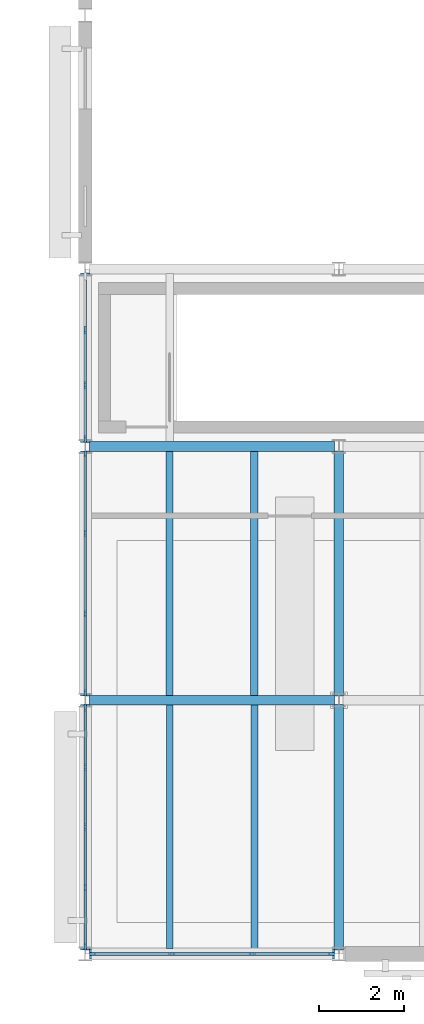
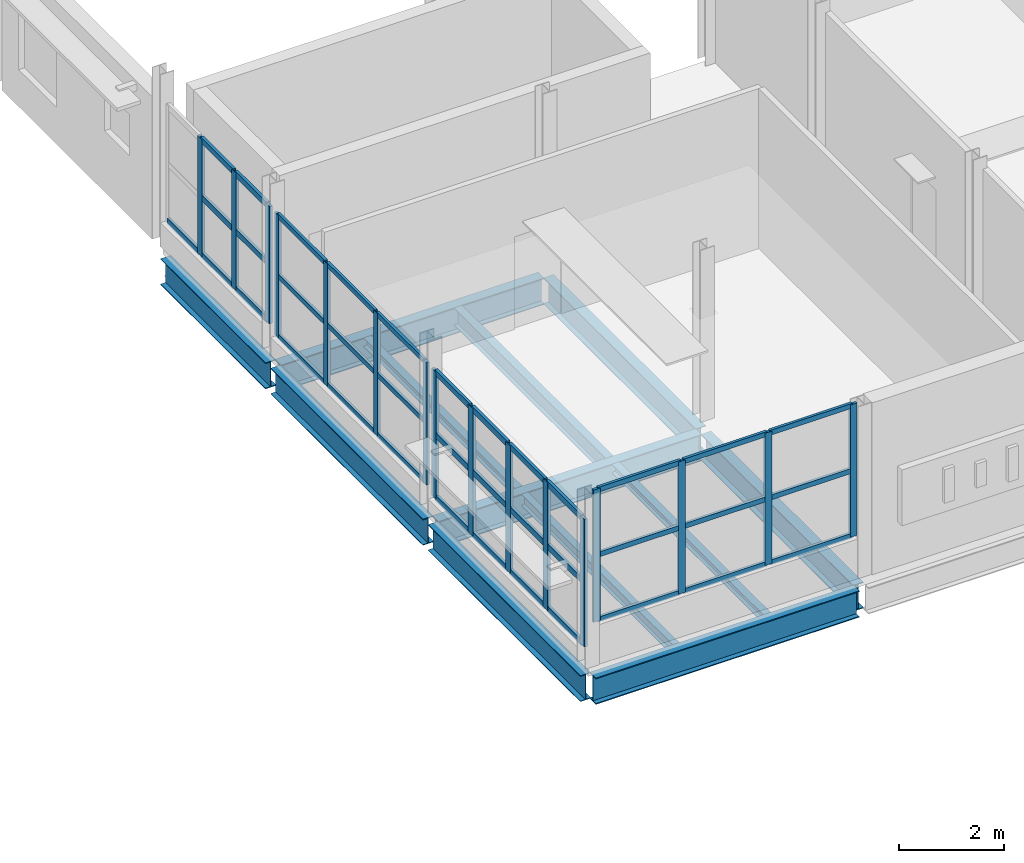
# One storey, part 17 of 92: 53 members, 12 beams, 4 elements without a shape of their own.
"""IFC4 building model written with IfcOpenShell, lengths in metres."""

from ifc_helpers import new_model, si_unit, direction, frame, origin, origin_2d, place, context, subcontext, project, spatial, rectangle, i_section, extrude, material, material_profile, profile_set, type_object, element, aggregate, save


model = new_model("IFC4")

# Units and contexts
model_context = context("Model", 3, precision=1e-05, world=origin(), true_north=direction((0.0, 1.0)))
body_context = subcontext(model_context, "Body", "Model", "MODEL_VIEW")
ifc_project = project(units=[si_unit("LENGTHUNIT", "METRE"), si_unit("AREAUNIT", "SQUARE_METRE"), si_unit("VOLUMEUNIT", "CUBIC_METRE"), si_unit("PLANEANGLEUNIT", "RADIAN"), si_unit("MASSUNIT", "GRAM", prefix="KILO")], contexts=[model_context])

# Site, building, storey
site_placement = place(None, origin())
site = spatial("IfcSite", under=ifc_project, at=site_placement, CompositionType="ELEMENT")
building_placement = place(site_placement, origin())
building = spatial("IfcBuilding", under=site, at=building_placement, Name="Siltcreek Boulevard Central Fire Station", CompositionType="ELEMENT")
storey_placement = place(building_placement, frame((0.0, 0.0, 6.0)))
storey = spatial("IfcBuildingStorey", under=building, at=storey_placement, Name="L02", CompositionType="ELEMENT", Elevation=6.0)

# Beams
ifc_material_1 = material(Name="Structural steel ASTM A992 Gr50", Category="steel")
ifc_material_profile_1 = material_profile(ifc_material_1, i_section(OverallWidth=0.22802734375, OverallDepth=0.60791015625, WebThickness=0.01123046875, FlangeThickness=0.017333984375, at=origin_2d()), Name="W610X113")
ifc_profile_set_1 = profile_set([ifc_material_profile_1], Name="Structural steel ASTM A992 Gr50")
beam_type_1 = type_object("IfcBeamType", Name="BM_W610X113", PredefinedType="BEAM", material=ifc_profile_set_1)
for number, where, z_axis, x_axis, name in (
    (1, (42.0, 1.89990234375, -0.6240234375), (0.0, 1.0, 0.0), (-1.0, 0.0, 0.0), "L02 primary steel girder GY-0025"),
    (2, (42.0, 7.89990234375, -0.6240234375), (0.0, 1.0, 0.0), (-1.0, 0.0, 0.0), "L02 primary steel girder GY-0026"),
):
    element("IfcBeam", number, at=place(storey_placement, frame(where, z_axis=z_axis, x_axis=x_axis)), inside=storey, type_object=beam_type_1, Name=name, PredefinedType="BEAM", context=body_context, shape_type="SweptSolid", body=[
        extrude(i_section(OverallWidth=0.22802734375, OverallDepth=0.60791015625, WebThickness=0.01123046875, FlangeThickness=0.017333984375, at=origin_2d()), origin(), (0.0, 0.0, 1.0), 5.800048828125),
    ])
beam_1_placement = place(storey_placement, frame((42.0, 13.89990234375, -0.6240234375), z_axis=(0.0, 1.0, 0.0), x_axis=(-1.0, 0.0, 0.0)))
element("IfcBeam", 3, at=beam_1_placement, inside=storey, type_object=beam_type_1, Name="L02 primary steel girder GY-0027", PredefinedType="BEAM", context=body_context, shape_type="SweptSolid", body=[
    extrude(i_section(OverallWidth=0.22802734375, OverallDepth=0.60791015625, WebThickness=0.01123046875, FlangeThickness=0.017333984375, at=origin_2d()), origin(), (0.0, 0.0, 1.0), 4.0),
])
for number, where, z_axis, x_axis, name in (
    (4, (48.0, 1.89990234375, -0.6240234375), (0.0, 1.0, 0.0), (-1.0, 0.0, 0.0), "L02 primary steel girder GY-0030"),
    (5, (48.0, 7.89990234375, -0.6240234375), (0.0, 1.0, 0.0), (-1.0, 0.0, 0.0), "L02 primary steel girder GY-0031"),
):
    element("IfcBeam", number, at=place(storey_placement, frame(where, z_axis=z_axis, x_axis=x_axis)), inside=storey, type_object=beam_type_1, Name=name, PredefinedType="BEAM", context=body_context, shape_type="SweptSolid", body=[
        extrude(i_section(OverallWidth=0.22802734375, OverallDepth=0.60791015625, WebThickness=0.01123046875, FlangeThickness=0.017333984375, at=origin_2d()), origin(), (0.0, 0.0, 1.0), 5.800048828125),
    ])
ifc_material_profile_2 = material_profile(ifc_material_1, i_section(OverallWidth=0.22998046875, OverallDepth=0.616943359375, WebThickness=0.01318359375, FlangeThickness=0.022216796875, at=origin_2d()), Name="W610X140")
ifc_profile_set_2 = profile_set([ifc_material_profile_2], Name="Structural steel ASTM A992 Gr50")
beam_type_2 = type_object("IfcBeamType", Name="BM_W610X140", PredefinedType="BEAM", material=ifc_profile_set_2)
for number, where, z_axis, x_axis, name in (
    (6, (42.10009765625, 1.800048828125, -0.62841796875), (1.0, 0.0, 0.0), (0.0, 1.0, 0.0), "L02 primary steel girder GX-0001"),
    (7, (42.10009765625, 7.800048828125, -0.62841796875), (1.0, 0.0, 0.0), (0.0, 1.0, 0.0), "L02 primary steel girder GX-0004"),
    (8, (42.10009765625, 13.800048828125, -0.62841796875), (1.0, 0.0, 0.0), (0.0, 1.0, 0.0), "L02 primary steel girder GX-0007"),
):
    element("IfcBeam", number, at=place(storey_placement, frame(where, z_axis=z_axis, x_axis=x_axis)), inside=storey, type_object=beam_type_2, Name=name, PredefinedType="BEAM", context=body_context, shape_type="SweptSolid", body=[
        extrude(i_section(OverallWidth=0.22998046875, OverallDepth=0.616943359375, WebThickness=0.01318359375, FlangeThickness=0.022216796875, at=origin_2d()), origin(), (0.0, 0.0, 1.0), 5.7998046875),
    ])

# Curtain wall, members
ifc_material_2 = material(Name="Anodized aluminum and low-E insulated glazing", Category="aluminium")
curtain_wall_type_1 = type_object("IfcCurtainWallType", Name="CW_SYS_12", PredefinedType="USERDEFINED", material=ifc_material_2)
curtain_wall_1_placement = place(storey_placement, origin())
curtain_wall_1 = element("IfcCurtainWall", 9, at=curtain_wall_1_placement, inside=storey, type_object=curtain_wall_type_1, Name="L02 V1 unitised curtain wall CW-011", ObjectType="CURTAIN WALL", PredefinedType="USERDEFINED")
ifc_material_3 = material(Name="Anodized 6063-T6 aluminum framing", Category="aluminium")
ifc_material_profile_3 = material_profile(ifc_material_3, rectangle(XDim=0.06005859375, YDim=0.14990234375, at=origin_2d()), Name="MULL60X150")
ifc_profile_set_3 = profile_set([ifc_material_profile_3], Name="Anodized 6063-T6 aluminum framing")
member_type_1 = type_object("IfcMemberType", Name="CWM_60X150", PredefinedType="MULLION", material=ifc_profile_set_3)
member_1_placement = place(storey_placement, frame((42.175048828125, 1.800048828125, 0.919921875), z_axis=(0.0, 0.0, 1.0), x_axis=(0.0, 1.0, 0.0)))
member_1 = element("IfcMember", 10, at=member_1_placement, type_object=member_type_1, Name="CW-011 mullion 1", PredefinedType="MULLION", context=body_context, shape_type="SweptSolid", body=[
    extrude(rectangle(XDim=0.06005859375, YDim=0.14990234375, at=origin_2d()), origin(), (0.0, 0.0, 1.0), 3.080078125),
])
member_2_placement = place(storey_placement, frame((44.04833984375, 1.800048828125, 0.919921875), z_axis=(0.0, 0.0, 1.0), x_axis=(0.0, 1.0, 0.0)))
member_2 = element("IfcMember", 11, at=member_2_placement, type_object=member_type_1, Name="CW-011 mullion 2", PredefinedType="MULLION", context=body_context, shape_type="SweptSolid", body=[
    extrude(rectangle(XDim=0.06005859375, YDim=0.14990234375, at=origin_2d()), origin(), (0.0, 0.0, 1.0), 3.080078125),
])
member_3_placement = place(storey_placement, frame((45.95166015625, 1.800048828125, 0.919921875), z_axis=(0.0, 0.0, 1.0), x_axis=(0.0, 1.0, 0.0)))
member_3 = element("IfcMember", 12, at=member_3_placement, type_object=member_type_1, Name="CW-011 mullion 3", PredefinedType="MULLION", context=body_context, shape_type="SweptSolid", body=[
    extrude(rectangle(XDim=0.06005859375, YDim=0.14990234375, at=origin_2d()), origin(), (0.0, 0.0, 1.0), 3.080078125),
])
member_4_placement = place(storey_placement, frame((47.824951171875, 1.800048828125, 0.919921875), z_axis=(0.0, 0.0, 1.0), x_axis=(0.0, 1.0, 0.0)))
member_4 = element("IfcMember", 13, at=member_4_placement, type_object=member_type_1, Name="CW-011 mullion 4", PredefinedType="MULLION", context=body_context, shape_type="SweptSolid", body=[
    extrude(rectangle(XDim=0.06005859375, YDim=0.14990234375, at=origin_2d()), origin(), (0.0, 0.0, 1.0), 3.080078125),
])

curtain_wall_type_2 = type_object("IfcCurtainWallType", Name="CW_SYS_14", PredefinedType="USERDEFINED", material=ifc_material_2)
curtain_wall_2_placement = place(storey_placement, origin())
curtain_wall_2 = element("IfcCurtainWall", 14, at=curtain_wall_2_placement, inside=storey, type_object=curtain_wall_type_2, Name="L02 V1 unitised curtain wall CW-013", ObjectType="CURTAIN WALL", PredefinedType="USERDEFINED")
member_5_placement = place(storey_placement, frame((42.0, 13.625, 0.43994140625), z_axis=(0.0, 0.0, 1.0), x_axis=(1.0, 0.0, 0.0)))
member_5 = element("IfcMember", 15, at=member_5_placement, type_object=member_type_1, Name="CW-013 mullion 1", PredefinedType="MULLION", context=body_context, shape_type="SweptSolid", body=[
    extrude(rectangle(XDim=0.06005859375, YDim=0.14990234375, at=origin_2d()), origin(), (0.0, 0.0, 1.0), 2.850341796875),
])
member_6_placement = place(storey_placement, frame((42.0, 11.751708984375, 0.43994140625), z_axis=(0.0, 0.0, 1.0), x_axis=(1.0, 0.0, 0.0)))
member_6 = element("IfcMember", 16, at=member_6_placement, type_object=member_type_1, Name="CW-013 mullion 2", PredefinedType="MULLION", context=body_context, shape_type="SweptSolid", body=[
    extrude(rectangle(XDim=0.06005859375, YDim=0.14990234375, at=origin_2d()), origin(), (0.0, 0.0, 1.0), 2.850341796875),
])
member_7_placement = place(storey_placement, frame((42.0, 9.848388671875, 0.43994140625), z_axis=(0.0, 0.0, 1.0), x_axis=(1.0, 0.0, 0.0)))
member_7 = element("IfcMember", 17, at=member_7_placement, type_object=member_type_1, Name="CW-013 mullion 3", PredefinedType="MULLION", context=body_context, shape_type="SweptSolid", body=[
    extrude(rectangle(XDim=0.06005859375, YDim=0.14990234375, at=origin_2d()), origin(), (0.0, 0.0, 1.0), 2.850341796875),
])
member_8_placement = place(storey_placement, frame((42.0, 7.97509765625, 0.43994140625), z_axis=(0.0, 0.0, 1.0), x_axis=(1.0, 0.0, 0.0)))
member_8 = element("IfcMember", 18, at=member_8_placement, type_object=member_type_1, Name="CW-013 mullion 4", PredefinedType="MULLION", context=body_context, shape_type="SweptSolid", body=[
    extrude(rectangle(XDim=0.06005859375, YDim=0.14990234375, at=origin_2d()), origin(), (0.0, 0.0, 1.0), 2.850341796875),
])

curtain_wall_type_3 = type_object("IfcCurtainWallType", Name="CW_SYS_13", PredefinedType="USERDEFINED", material=ifc_material_2)
curtain_wall_3_placement = place(storey_placement, origin())
curtain_wall_3 = element("IfcCurtainWall", 19, at=curtain_wall_3_placement, inside=storey, type_object=curtain_wall_type_3, Name="L02 V1 unitised curtain wall CW-012", ObjectType="CURTAIN WALL", PredefinedType="USERDEFINED")
ifc_material_profile_4 = material_profile(ifc_material_3, rectangle(XDim=0.06494140625, YDim=0.175048828125, at=origin_2d()), Name="MULL65X175")
ifc_profile_set_4 = profile_set([ifc_material_profile_4], Name="Anodized 6063-T6 aluminum framing")
member_type_2 = type_object("IfcMemberType", Name="CWM_65X175", PredefinedType="MULLION", material=ifc_profile_set_4)
member_9_placement = place(storey_placement, frame((42.0, 7.62255859375, 0.320068359375), z_axis=(0.0, 0.0, 1.0), x_axis=(1.0, 0.0, 0.0)))
member_9 = element("IfcMember", 20, at=member_9_placement, type_object=member_type_2, Name="CW-012 mullion 1", PredefinedType="MULLION", context=body_context, shape_type="SweptSolid", body=[
    extrude(rectangle(XDim=0.06494140625, YDim=0.175048828125, at=origin_2d()), origin(), (0.0, 0.0, 1.0), 2.97021484375),
])
member_10_placement = place(storey_placement, frame((42.0, 6.2275390625, 0.320068359375), z_axis=(0.0, 0.0, 1.0), x_axis=(1.0, 0.0, 0.0)))
member_10 = element("IfcMember", 21, at=member_10_placement, type_object=member_type_2, Name="CW-012 mullion 2", PredefinedType="MULLION", context=body_context, shape_type="SweptSolid", body=[
    extrude(rectangle(XDim=0.06494140625, YDim=0.175048828125, at=origin_2d()), origin(), (0.0, 0.0, 1.0), 2.97021484375),
])
member_11_placement = place(storey_placement, frame((42.0, 4.800048828125, 0.320068359375), z_axis=(0.0, 0.0, 1.0), x_axis=(1.0, 0.0, 0.0)))
member_11 = element("IfcMember", 22, at=member_11_placement, type_object=member_type_2, Name="CW-012 mullion 3", PredefinedType="MULLION", context=body_context, shape_type="SweptSolid", body=[
    extrude(rectangle(XDim=0.06494140625, YDim=0.175048828125, at=origin_2d()), origin(), (0.0, 0.0, 1.0), 2.97021484375),
])
member_12_placement = place(storey_placement, frame((42.0, 3.37255859375, 0.320068359375), z_axis=(0.0, 0.0, 1.0), x_axis=(1.0, 0.0, 0.0)))
member_12 = element("IfcMember", 23, at=member_12_placement, type_object=member_type_2, Name="CW-012 mullion 4", PredefinedType="MULLION", context=body_context, shape_type="SweptSolid", body=[
    extrude(rectangle(XDim=0.06494140625, YDim=0.175048828125, at=origin_2d()), origin(), (0.0, 0.0, 1.0), 2.97021484375),
])
member_13_placement = place(storey_placement, frame((42.0, 1.9775390625, 0.320068359375), z_axis=(0.0, 0.0, 1.0), x_axis=(1.0, 0.0, 0.0)))
member_13 = element("IfcMember", 24, at=member_13_placement, type_object=member_type_2, Name="CW-012 mullion 5", PredefinedType="MULLION", context=body_context, shape_type="SweptSolid", body=[
    extrude(rectangle(XDim=0.06494140625, YDim=0.175048828125, at=origin_2d()), origin(), (0.0, 0.0, 1.0), 2.97021484375),
])

curtain_wall_type_4 = type_object("IfcCurtainWallType", Name="CW_SYS_15", PredefinedType="USERDEFINED", material=ifc_material_2)
curtain_wall_4_placement = place(storey_placement, origin())
curtain_wall_4 = element("IfcCurtainWall", 25, at=curtain_wall_4_placement, inside=storey, type_object=curtain_wall_type_4, Name="L02 V1 unitised curtain wall CW-014", ObjectType="CURTAIN WALL", PredefinedType="USERDEFINED")
member_14_placement = place(storey_placement, frame((42.0, 16.5517578125, 0.56005859375), z_axis=(0.0, 0.0, 1.0), x_axis=(1.0, 0.0, 0.0)))
member_14 = element("IfcMember", 26, at=member_14_placement, type_object=member_type_2, Name="CW-014 mullion 2", PredefinedType="MULLION", context=body_context, shape_type="SweptSolid", body=[
    extrude(rectangle(XDim=0.06494140625, YDim=0.175048828125, at=origin_2d()), origin(), (0.0, 0.0, 1.0), 2.730224609375),
])
member_15_placement = place(storey_placement, frame((42.0, 15.248291015625, 0.56005859375), z_axis=(0.0, 0.0, 1.0), x_axis=(1.0, 0.0, 0.0)))
member_15 = element("IfcMember", 27, at=member_15_placement, type_object=member_type_2, Name="CW-014 mullion 3", PredefinedType="MULLION", context=body_context, shape_type="SweptSolid", body=[
    extrude(rectangle(XDim=0.06494140625, YDim=0.175048828125, at=origin_2d()), origin(), (0.0, 0.0, 1.0), 2.730224609375),
])
member_16_placement = place(storey_placement, frame((42.0, 13.9775390625, 0.56005859375), z_axis=(0.0, 0.0, 1.0), x_axis=(1.0, 0.0, 0.0)))
member_16 = element("IfcMember", 28, at=member_16_placement, type_object=member_type_2, Name="CW-014 mullion 4", PredefinedType="MULLION", context=body_context, shape_type="SweptSolid", body=[
    extrude(rectangle(XDim=0.06494140625, YDim=0.175048828125, at=origin_2d()), origin(), (0.0, 0.0, 1.0), 2.730224609375),
])

# Member
ifc_material_profile_5 = material_profile(ifc_material_3, rectangle(XDim=0.06005859375, YDim=0.114990234375, at=origin_2d()), Name="TRAN60X115")
ifc_profile_set_5 = profile_set([ifc_material_profile_5], Name="Anodized 6063-T6 aluminum framing")
member_type_3 = type_object("IfcMemberType", Name="CWT_60X115", PredefinedType="USERDEFINED", material=ifc_profile_set_5)
member_17_placement = place(storey_placement, frame((42.205078125, 1.800048828125, 0.949951171875), z_axis=(1.0, 0.0, 0.0), x_axis=(0.0, 1.0, 0.0)))
member_17 = element("IfcMember", 29, at=member_17_placement, type_object=member_type_3, Name="CW-011 transom 1.1", ObjectType="TRANSOM", PredefinedType="USERDEFINED", context=body_context, shape_type="SweptSolid", body=[
    extrude(rectangle(XDim=0.06005859375, YDim=0.114990234375, at=origin_2d()), origin(), (0.0, 0.0, 1.0), 1.813232421875),
])

member_18_placement = place(storey_placement, frame((42.205078125, 1.800048828125, 2.4599609375), z_axis=(1.0, 0.0, 0.0), x_axis=(0.0, 1.0, 0.0)))
member_18 = element("IfcMember", 30, at=member_18_placement, type_object=member_type_3, Name="CW-011 transom 1.2", ObjectType="TRANSOM", PredefinedType="USERDEFINED", context=body_context, shape_type="SweptSolid", body=[
    extrude(rectangle(XDim=0.06005859375, YDim=0.114990234375, at=origin_2d()), origin(), (0.0, 0.0, 1.0), 1.813232421875),
])

member_19_placement = place(storey_placement, frame((42.205078125, 1.800048828125, 3.969970703125), z_axis=(1.0, 0.0, 0.0), x_axis=(0.0, 1.0, 0.0)))
member_19 = element("IfcMember", 31, at=member_19_placement, type_object=member_type_3, Name="CW-011 transom 1.3", ObjectType="TRANSOM", PredefinedType="USERDEFINED", context=body_context, shape_type="SweptSolid", body=[
    extrude(rectangle(XDim=0.06005859375, YDim=0.114990234375, at=origin_2d()), origin(), (0.0, 0.0, 1.0), 1.813232421875),
])

member_20_placement = place(storey_placement, frame((44.078369140625, 1.800048828125, 0.949951171875), z_axis=(1.0, 0.0, 0.0), x_axis=(0.0, 1.0, 0.0)))
member_20 = element("IfcMember", 32, at=member_20_placement, type_object=member_type_3, Name="CW-011 transom 2.1", ObjectType="TRANSOM", PredefinedType="USERDEFINED", context=body_context, shape_type="SweptSolid", body=[
    extrude(rectangle(XDim=0.06005859375, YDim=0.114990234375, at=origin_2d()), origin(), (0.0, 0.0, 1.0), 1.84326171875),
])

member_21_placement = place(storey_placement, frame((44.078369140625, 1.800048828125, 2.4599609375), z_axis=(1.0, 0.0, 0.0), x_axis=(0.0, 1.0, 0.0)))
member_21 = element("IfcMember", 33, at=member_21_placement, type_object=member_type_3, Name="CW-011 transom 2.2", ObjectType="TRANSOM", PredefinedType="USERDEFINED", context=body_context, shape_type="SweptSolid", body=[
    extrude(rectangle(XDim=0.06005859375, YDim=0.114990234375, at=origin_2d()), origin(), (0.0, 0.0, 1.0), 1.84326171875),
])

member_22_placement = place(storey_placement, frame((44.078369140625, 1.800048828125, 3.969970703125), z_axis=(1.0, 0.0, 0.0), x_axis=(0.0, 1.0, 0.0)))
member_22 = element("IfcMember", 34, at=member_22_placement, type_object=member_type_3, Name="CW-011 transom 2.3", ObjectType="TRANSOM", PredefinedType="USERDEFINED", context=body_context, shape_type="SweptSolid", body=[
    extrude(rectangle(XDim=0.06005859375, YDim=0.114990234375, at=origin_2d()), origin(), (0.0, 0.0, 1.0), 1.84326171875),
])

member_23_placement = place(storey_placement, frame((45.981689453125, 1.800048828125, 0.949951171875), z_axis=(1.0, 0.0, 0.0), x_axis=(0.0, 1.0, 0.0)))
member_23 = element("IfcMember", 35, at=member_23_placement, type_object=member_type_3, Name="CW-011 transom 3.1", ObjectType="TRANSOM", PredefinedType="USERDEFINED", context=body_context, shape_type="SweptSolid", body=[
    extrude(rectangle(XDim=0.06005859375, YDim=0.114990234375, at=origin_2d()), origin(), (0.0, 0.0, 1.0), 1.813232421875),
])

member_24_placement = place(storey_placement, frame((45.981689453125, 1.800048828125, 2.4599609375), z_axis=(1.0, 0.0, 0.0), x_axis=(0.0, 1.0, 0.0)))
member_24 = element("IfcMember", 36, at=member_24_placement, type_object=member_type_3, Name="CW-011 transom 3.2", ObjectType="TRANSOM", PredefinedType="USERDEFINED", context=body_context, shape_type="SweptSolid", body=[
    extrude(rectangle(XDim=0.06005859375, YDim=0.114990234375, at=origin_2d()), origin(), (0.0, 0.0, 1.0), 1.813232421875),
])

member_25_placement = place(storey_placement, frame((45.981689453125, 1.800048828125, 3.969970703125), z_axis=(1.0, 0.0, 0.0), x_axis=(0.0, 1.0, 0.0)))
member_25 = element("IfcMember", 37, at=member_25_placement, type_object=member_type_3, Name="CW-011 transom 3.3", ObjectType="TRANSOM", PredefinedType="USERDEFINED", context=body_context, shape_type="SweptSolid", body=[
    extrude(rectangle(XDim=0.06005859375, YDim=0.114990234375, at=origin_2d()), origin(), (0.0, 0.0, 1.0), 1.813232421875),
])

aggregate(curtain_wall_1, [member_1, member_2, member_3, member_4, member_17, member_18, member_19, member_20, member_21, member_22, member_23, member_24, member_25])

member_26_placement = place(storey_placement, frame((42.0, 13.594970703125, 0.469970703125), z_axis=(0.0, -1.0, 0.0), x_axis=(1.0, 0.0, 0.0)))
member_26 = element("IfcMember", 38, at=member_26_placement, type_object=member_type_3, Name="CW-013 transom 1.1", ObjectType="TRANSOM", PredefinedType="USERDEFINED", context=body_context, shape_type="SweptSolid", body=[
    extrude(rectangle(XDim=0.06005859375, YDim=0.114990234375, at=origin_2d()), origin(), (0.0, 0.0, 1.0), 1.813232421875),
])

member_27_placement = place(storey_placement, frame((42.0, 13.594970703125, 1.865234375), z_axis=(0.0, -1.0, 0.0), x_axis=(1.0, 0.0, 0.0)))
member_27 = element("IfcMember", 39, at=member_27_placement, type_object=member_type_3, Name="CW-013 transom 1.2", ObjectType="TRANSOM", PredefinedType="USERDEFINED", context=body_context, shape_type="SweptSolid", body=[
    extrude(rectangle(XDim=0.06005859375, YDim=0.114990234375, at=origin_2d()), origin(), (0.0, 0.0, 1.0), 1.813232421875),
])

member_28_placement = place(storey_placement, frame((42.0, 13.594970703125, 3.260498046875), z_axis=(0.0, -1.0, 0.0), x_axis=(1.0, 0.0, 0.0)))
member_28 = element("IfcMember", 40, at=member_28_placement, type_object=member_type_3, Name="CW-013 transom 1.3", ObjectType="TRANSOM", PredefinedType="USERDEFINED", context=body_context, shape_type="SweptSolid", body=[
    extrude(rectangle(XDim=0.06005859375, YDim=0.114990234375, at=origin_2d()), origin(), (0.0, 0.0, 1.0), 1.813232421875),
])

member_29_placement = place(storey_placement, frame((42.0, 11.7216796875, 0.469970703125), z_axis=(0.0, -1.0, 0.0), x_axis=(1.0, 0.0, 0.0)))
member_29 = element("IfcMember", 41, at=member_29_placement, type_object=member_type_3, Name="CW-013 transom 2.1", ObjectType="TRANSOM", PredefinedType="USERDEFINED", context=body_context, shape_type="SweptSolid", body=[
    extrude(rectangle(XDim=0.06005859375, YDim=0.114990234375, at=origin_2d()), origin(), (0.0, 0.0, 1.0), 1.84326171875),
])

member_30_placement = place(storey_placement, frame((42.0, 11.7216796875, 1.865234375), z_axis=(0.0, -1.0, 0.0), x_axis=(1.0, 0.0, 0.0)))
member_30 = element("IfcMember", 42, at=member_30_placement, type_object=member_type_3, Name="CW-013 transom 2.2", ObjectType="TRANSOM", PredefinedType="USERDEFINED", context=body_context, shape_type="SweptSolid", body=[
    extrude(rectangle(XDim=0.06005859375, YDim=0.114990234375, at=origin_2d()), origin(), (0.0, 0.0, 1.0), 1.84326171875),
])

member_31_placement = place(storey_placement, frame((42.0, 11.7216796875, 3.260498046875), z_axis=(0.0, -1.0, 0.0), x_axis=(1.0, 0.0, 0.0)))
member_31 = element("IfcMember", 43, at=member_31_placement, type_object=member_type_3, Name="CW-013 transom 2.3", ObjectType="TRANSOM", PredefinedType="USERDEFINED", context=body_context, shape_type="SweptSolid", body=[
    extrude(rectangle(XDim=0.06005859375, YDim=0.114990234375, at=origin_2d()), origin(), (0.0, 0.0, 1.0), 1.84326171875),
])

member_32_placement = place(storey_placement, frame((42.0, 9.818359375, 0.469970703125), z_axis=(0.0, -1.0, 0.0), x_axis=(1.0, 0.0, 0.0)))
member_32 = element("IfcMember", 44, at=member_32_placement, type_object=member_type_3, Name="CW-013 transom 3.1", ObjectType="TRANSOM", PredefinedType="USERDEFINED", context=body_context, shape_type="SweptSolid", body=[
    extrude(rectangle(XDim=0.06005859375, YDim=0.114990234375, at=origin_2d()), origin(), (0.0, 0.0, 1.0), 1.8134765625),
])

member_33_placement = place(storey_placement, frame((42.0, 9.818359375, 1.865234375), z_axis=(0.0, -1.0, 0.0), x_axis=(1.0, 0.0, 0.0)))
member_33 = element("IfcMember", 45, at=member_33_placement, type_object=member_type_3, Name="CW-013 transom 3.2", ObjectType="TRANSOM", PredefinedType="USERDEFINED", context=body_context, shape_type="SweptSolid", body=[
    extrude(rectangle(XDim=0.06005859375, YDim=0.114990234375, at=origin_2d()), origin(), (0.0, 0.0, 1.0), 1.8134765625),
])

member_34_placement = place(storey_placement, frame((42.0, 9.818359375, 3.260498046875), z_axis=(0.0, -1.0, 0.0), x_axis=(1.0, 0.0, 0.0)))
member_34 = element("IfcMember", 46, at=member_34_placement, type_object=member_type_3, Name="CW-013 transom 3.3", ObjectType="TRANSOM", PredefinedType="USERDEFINED", context=body_context, shape_type="SweptSolid", body=[
    extrude(rectangle(XDim=0.06005859375, YDim=0.114990234375, at=origin_2d()), origin(), (0.0, 0.0, 1.0), 1.8134765625),
])

aggregate(curtain_wall_2, [member_5, member_6, member_7, member_8, member_26, member_27, member_28, member_29, member_30, member_31, member_32, member_33, member_34])

ifc_material_profile_6 = material_profile(ifc_material_3, rectangle(XDim=0.06494140625, YDim=0.135009765625, at=origin_2d()), Name="TRAN65X135")
ifc_profile_set_6 = profile_set([ifc_material_profile_6], Name="Anodized 6063-T6 aluminum framing")
member_type_4 = type_object("IfcMemberType", Name="CWT_65X135", PredefinedType="USERDEFINED", material=ifc_profile_set_6)
member_35_placement = place(storey_placement, frame((42.0, 7.590087890625, 0.3525390625), z_axis=(0.0, -1.0, 0.0), x_axis=(1.0, 0.0, 0.0)))
member_35 = element("IfcMember", 47, at=member_35_placement, type_object=member_type_4, Name="CW-012 transom 1.1", ObjectType="TRANSOM", PredefinedType="USERDEFINED", context=body_context, shape_type="SweptSolid", body=[
    extrude(rectangle(XDim=0.06494140625, YDim=0.135009765625, at=origin_2d()), origin(), (0.0, 0.0, 1.0), 1.330078125),
])

member_36_placement = place(storey_placement, frame((42.0, 7.590087890625, 1.80517578125), z_axis=(0.0, -1.0, 0.0), x_axis=(1.0, 0.0, 0.0)))
member_36 = element("IfcMember", 48, at=member_36_placement, type_object=member_type_4, Name="CW-012 transom 1.2", ObjectType="TRANSOM", PredefinedType="USERDEFINED", context=body_context, shape_type="SweptSolid", body=[
    extrude(rectangle(XDim=0.06494140625, YDim=0.135009765625, at=origin_2d()), origin(), (0.0, 0.0, 1.0), 1.330078125),
])

member_37_placement = place(storey_placement, frame((42.0, 7.590087890625, 3.2578125), z_axis=(0.0, -1.0, 0.0), x_axis=(1.0, 0.0, 0.0)))
member_37 = element("IfcMember", 49, at=member_37_placement, type_object=member_type_4, Name="CW-012 transom 1.3", ObjectType="TRANSOM", PredefinedType="USERDEFINED", context=body_context, shape_type="SweptSolid", body=[
    extrude(rectangle(XDim=0.06494140625, YDim=0.135009765625, at=origin_2d()), origin(), (0.0, 0.0, 1.0), 1.330078125),
])

member_38_placement = place(storey_placement, frame((42.0, 6.195068359375, 0.3525390625), z_axis=(0.0, -1.0, 0.0), x_axis=(1.0, 0.0, 0.0)))
member_38 = element("IfcMember", 50, at=member_38_placement, type_object=member_type_4, Name="CW-012 transom 2.1", ObjectType="TRANSOM", PredefinedType="USERDEFINED", context=body_context, shape_type="SweptSolid", body=[
    extrude(rectangle(XDim=0.06494140625, YDim=0.135009765625, at=origin_2d()), origin(), (0.0, 0.0, 1.0), 1.362548828125),
])

member_39_placement = place(storey_placement, frame((42.0, 6.195068359375, 1.80517578125), z_axis=(0.0, -1.0, 0.0), x_axis=(1.0, 0.0, 0.0)))
member_39 = element("IfcMember", 51, at=member_39_placement, type_object=member_type_4, Name="CW-012 transom 2.2", ObjectType="TRANSOM", PredefinedType="USERDEFINED", context=body_context, shape_type="SweptSolid", body=[
    extrude(rectangle(XDim=0.06494140625, YDim=0.135009765625, at=origin_2d()), origin(), (0.0, 0.0, 1.0), 1.362548828125),
])

member_40_placement = place(storey_placement, frame((42.0, 6.195068359375, 3.2578125), z_axis=(0.0, -1.0, 0.0), x_axis=(1.0, 0.0, 0.0)))
member_40 = element("IfcMember", 52, at=member_40_placement, type_object=member_type_4, Name="CW-012 transom 2.3", ObjectType="TRANSOM", PredefinedType="USERDEFINED", context=body_context, shape_type="SweptSolid", body=[
    extrude(rectangle(XDim=0.06494140625, YDim=0.135009765625, at=origin_2d()), origin(), (0.0, 0.0, 1.0), 1.362548828125),
])

member_41_placement = place(storey_placement, frame((42.0, 4.767578125, 0.3525390625), z_axis=(0.0, -1.0, 0.0), x_axis=(1.0, 0.0, 0.0)))
member_41 = element("IfcMember", 53, at=member_41_placement, type_object=member_type_4, Name="CW-012 transom 3.1", ObjectType="TRANSOM", PredefinedType="USERDEFINED", context=body_context, shape_type="SweptSolid", body=[
    extrude(rectangle(XDim=0.06494140625, YDim=0.135009765625, at=origin_2d()), origin(), (0.0, 0.0, 1.0), 1.362548828125),
])

member_42_placement = place(storey_placement, frame((42.0, 4.767578125, 1.80517578125), z_axis=(0.0, -1.0, 0.0), x_axis=(1.0, 0.0, 0.0)))
member_42 = element("IfcMember", 54, at=member_42_placement, type_object=member_type_4, Name="CW-012 transom 3.2", ObjectType="TRANSOM", PredefinedType="USERDEFINED", context=body_context, shape_type="SweptSolid", body=[
    extrude(rectangle(XDim=0.06494140625, YDim=0.135009765625, at=origin_2d()), origin(), (0.0, 0.0, 1.0), 1.362548828125),
])

member_43_placement = place(storey_placement, frame((42.0, 4.767578125, 3.2578125), z_axis=(0.0, -1.0, 0.0), x_axis=(1.0, 0.0, 0.0)))
member_43 = element("IfcMember", 55, at=member_43_placement, type_object=member_type_4, Name="CW-012 transom 3.3", ObjectType="TRANSOM", PredefinedType="USERDEFINED", context=body_context, shape_type="SweptSolid", body=[
    extrude(rectangle(XDim=0.06494140625, YDim=0.135009765625, at=origin_2d()), origin(), (0.0, 0.0, 1.0), 1.362548828125),
])

member_44_placement = place(storey_placement, frame((42.0, 3.340087890625, 0.3525390625), z_axis=(0.0, -1.0, 0.0), x_axis=(1.0, 0.0, 0.0)))
member_44 = element("IfcMember", 56, at=member_44_placement, type_object=member_type_4, Name="CW-012 transom 4.1", ObjectType="TRANSOM", PredefinedType="USERDEFINED", context=body_context, shape_type="SweptSolid", body=[
    extrude(rectangle(XDim=0.06494140625, YDim=0.135009765625, at=origin_2d()), origin(), (0.0, 0.0, 1.0), 1.330078125),
])

member_45_placement = place(storey_placement, frame((42.0, 3.340087890625, 1.80517578125), z_axis=(0.0, -1.0, 0.0), x_axis=(1.0, 0.0, 0.0)))
member_45 = element("IfcMember", 57, at=member_45_placement, type_object=member_type_4, Name="CW-012 transom 4.2", ObjectType="TRANSOM", PredefinedType="USERDEFINED", context=body_context, shape_type="SweptSolid", body=[
    extrude(rectangle(XDim=0.06494140625, YDim=0.135009765625, at=origin_2d()), origin(), (0.0, 0.0, 1.0), 1.330078125),
])

member_46_placement = place(storey_placement, frame((42.0, 3.340087890625, 3.2578125), z_axis=(0.0, -1.0, 0.0), x_axis=(1.0, 0.0, 0.0)))
member_46 = element("IfcMember", 58, at=member_46_placement, type_object=member_type_4, Name="CW-012 transom 4.3", ObjectType="TRANSOM", PredefinedType="USERDEFINED", context=body_context, shape_type="SweptSolid", body=[
    extrude(rectangle(XDim=0.06494140625, YDim=0.135009765625, at=origin_2d()), origin(), (0.0, 0.0, 1.0), 1.330078125),
])

aggregate(curtain_wall_3, [member_9, member_10, member_11, member_12, member_13, member_35, member_36, member_37, member_38, member_39, member_40, member_41, member_42, member_43, member_44, member_45, member_46])

member_47_placement = place(storey_placement, frame((42.0, 17.7900390625, 0.592529296875), z_axis=(0.0, -1.0, 0.0), x_axis=(1.0, 0.0, 0.0)))
member_47 = element("IfcMember", 59, at=member_47_placement, type_object=member_type_4, Name="CW-014 transom 1.1", ObjectType="TRANSOM", PredefinedType="USERDEFINED", context=body_context, shape_type="SweptSolid", body=[
    extrude(rectangle(XDim=0.06494140625, YDim=0.135009765625, at=origin_2d()), origin(), (0.0, 0.0, 1.0), 1.205810546875),
])

member_48_placement = place(storey_placement, frame((42.0, 16.519287109375, 0.592529296875), z_axis=(0.0, -1.0, 0.0), x_axis=(1.0, 0.0, 0.0)))
member_48 = element("IfcMember", 60, at=member_48_placement, type_object=member_type_4, Name="CW-014 transom 2.1", ObjectType="TRANSOM", PredefinedType="USERDEFINED", context=body_context, shape_type="SweptSolid", body=[
    extrude(rectangle(XDim=0.06494140625, YDim=0.135009765625, at=origin_2d()), origin(), (0.0, 0.0, 1.0), 1.238525390625),
])

member_49_placement = place(storey_placement, frame((42.0, 16.519287109375, 1.92529296875), z_axis=(0.0, -1.0, 0.0), x_axis=(1.0, 0.0, 0.0)))
member_49 = element("IfcMember", 61, at=member_49_placement, type_object=member_type_4, Name="CW-014 transom 2.2", ObjectType="TRANSOM", PredefinedType="USERDEFINED", context=body_context, shape_type="SweptSolid", body=[
    extrude(rectangle(XDim=0.06494140625, YDim=0.135009765625, at=origin_2d()), origin(), (0.0, 0.0, 1.0), 1.238525390625),
])

member_50_placement = place(storey_placement, frame((42.0, 16.519287109375, 3.2578125), z_axis=(0.0, -1.0, 0.0), x_axis=(1.0, 0.0, 0.0)))
member_50 = element("IfcMember", 62, at=member_50_placement, type_object=member_type_4, Name="CW-014 transom 2.3", ObjectType="TRANSOM", PredefinedType="USERDEFINED", context=body_context, shape_type="SweptSolid", body=[
    extrude(rectangle(XDim=0.06494140625, YDim=0.135009765625, at=origin_2d()), origin(), (0.0, 0.0, 1.0), 1.238525390625),
])

member_51_placement = place(storey_placement, frame((42.0, 15.2158203125, 0.592529296875), z_axis=(0.0, -1.0, 0.0), x_axis=(1.0, 0.0, 0.0)))
member_51 = element("IfcMember", 63, at=member_51_placement, type_object=member_type_4, Name="CW-014 transom 3.1", ObjectType="TRANSOM", PredefinedType="USERDEFINED", context=body_context, shape_type="SweptSolid", body=[
    extrude(rectangle(XDim=0.06494140625, YDim=0.135009765625, at=origin_2d()), origin(), (0.0, 0.0, 1.0), 1.205810546875),
])

member_52_placement = place(storey_placement, frame((42.0, 15.2158203125, 1.92529296875), z_axis=(0.0, -1.0, 0.0), x_axis=(1.0, 0.0, 0.0)))
member_52 = element("IfcMember", 64, at=member_52_placement, type_object=member_type_4, Name="CW-014 transom 3.2", ObjectType="TRANSOM", PredefinedType="USERDEFINED", context=body_context, shape_type="SweptSolid", body=[
    extrude(rectangle(XDim=0.06494140625, YDim=0.135009765625, at=origin_2d()), origin(), (0.0, 0.0, 1.0), 1.205810546875),
])

member_53_placement = place(storey_placement, frame((42.0, 15.2158203125, 3.2578125), z_axis=(0.0, -1.0, 0.0), x_axis=(1.0, 0.0, 0.0)))
member_53 = element("IfcMember", 65, at=member_53_placement, type_object=member_type_4, Name="CW-014 transom 3.3", ObjectType="TRANSOM", PredefinedType="USERDEFINED", context=body_context, shape_type="SweptSolid", body=[
    extrude(rectangle(XDim=0.06494140625, YDim=0.135009765625, at=origin_2d()), origin(), (0.0, 0.0, 1.0), 1.205810546875),
])

aggregate(curtain_wall_4, [member_14, member_15, member_16, member_47, member_48, member_49, member_50, member_51, member_52, member_53])

# Beams
ifc_material_profile_7 = material_profile(ifc_material_1, i_section(OverallWidth=0.1650390625, OverallDepth=0.200927734375, WebThickness=0.006103515625, FlangeThickness=0.01025390625, at=origin_2d()), Name="W200X36")
ifc_profile_set_7 = profile_set([ifc_material_profile_7], Name="Structural steel ASTM A992 Gr50")
beam_type_3 = type_object("IfcBeamType", Name="JST_W200X36", PredefinedType="JOIST", material=ifc_profile_set_7)
for number, where, z_axis, x_axis, name in (
    (66, (46.0, 1.9130859375, -0.42041015625), (0.0, 1.0, 0.0), (-1.0, 0.0, 0.0), "L02 secondary steel floor joist 0002"),
    (67, (44.0, 7.9130859375, -0.42041015625), (0.0, 1.0, 0.0), (-1.0, 0.0, 0.0), "L02 secondary steel floor joist 0007"),
):
    element("IfcBeam", number, at=place(storey_placement, frame(where, z_axis=z_axis, x_axis=x_axis)), inside=storey, type_object=beam_type_3, Name=name, PredefinedType="JOIST", context=body_context, shape_type="SweptSolid", body=[
        extrude(i_section(OverallWidth=0.1650390625, OverallDepth=0.200927734375, WebThickness=0.006103515625, FlangeThickness=0.01025390625, at=origin_2d()), origin(), (0.0, 0.0, 1.0), 5.77392578125),
    ])
ifc_material_profile_8 = material_profile(ifc_material_1, i_section(OverallWidth=0.14697265625, OverallDepth=0.261962890625, WebThickness=0.006591796875, FlangeThickness=0.01123046875, at=origin_2d()), Name="W250X39")
ifc_profile_set_8 = profile_set([ifc_material_profile_8], Name="Structural steel ASTM A992 Gr50")
beam_type_4 = type_object("IfcBeamType", Name="JST_W250X39", PredefinedType="JOIST", material=ifc_profile_set_8)
beam_2_placement = place(storey_placement, frame((44.0, 1.9130859375, -0.450927734375), z_axis=(0.0, 1.0, 0.0), x_axis=(-1.0, 0.0, 0.0)))
element("IfcBeam", 68, at=beam_2_placement, inside=storey, type_object=beam_type_4, Name="L02 secondary steel floor joist 0001", PredefinedType="JOIST", context=body_context, shape_type="SweptSolid", body=[
    extrude(i_section(OverallWidth=0.14697265625, OverallDepth=0.261962890625, WebThickness=0.006591796875, FlangeThickness=0.01123046875, at=origin_2d()), origin(), (0.0, 0.0, 1.0), 5.77392578125),
])
ifc_material_profile_9 = material_profile(ifc_material_1, i_section(OverallWidth=0.177001953125, OverallDepth=0.403076171875, WebThickness=0.007568359375, FlangeThickness=0.010986328125, at=origin_2d()), Name="W410X53")
ifc_profile_set_9 = profile_set([ifc_material_profile_9], Name="Structural steel ASTM A992 Gr50")
beam_type_5 = type_object("IfcBeamType", Name="JST_W410X53", PredefinedType="JOIST", material=ifc_profile_set_9)
beam_3_placement = place(storey_placement, frame((46.0, 7.9130859375, -0.521484375), z_axis=(0.0, 1.0, 0.0), x_axis=(-1.0, 0.0, 0.0)))
element("IfcBeam", 69, at=beam_3_placement, inside=storey, type_object=beam_type_5, Name="L02 secondary steel floor joist 0008", PredefinedType="JOIST", context=body_context, shape_type="SweptSolid", body=[
    extrude(i_section(OverallWidth=0.177001953125, OverallDepth=0.403076171875, WebThickness=0.007568359375, FlangeThickness=0.010986328125, at=origin_2d()), origin(), (0.0, 0.0, 1.0), 5.77392578125),
])

save(model, "model.ifc")
